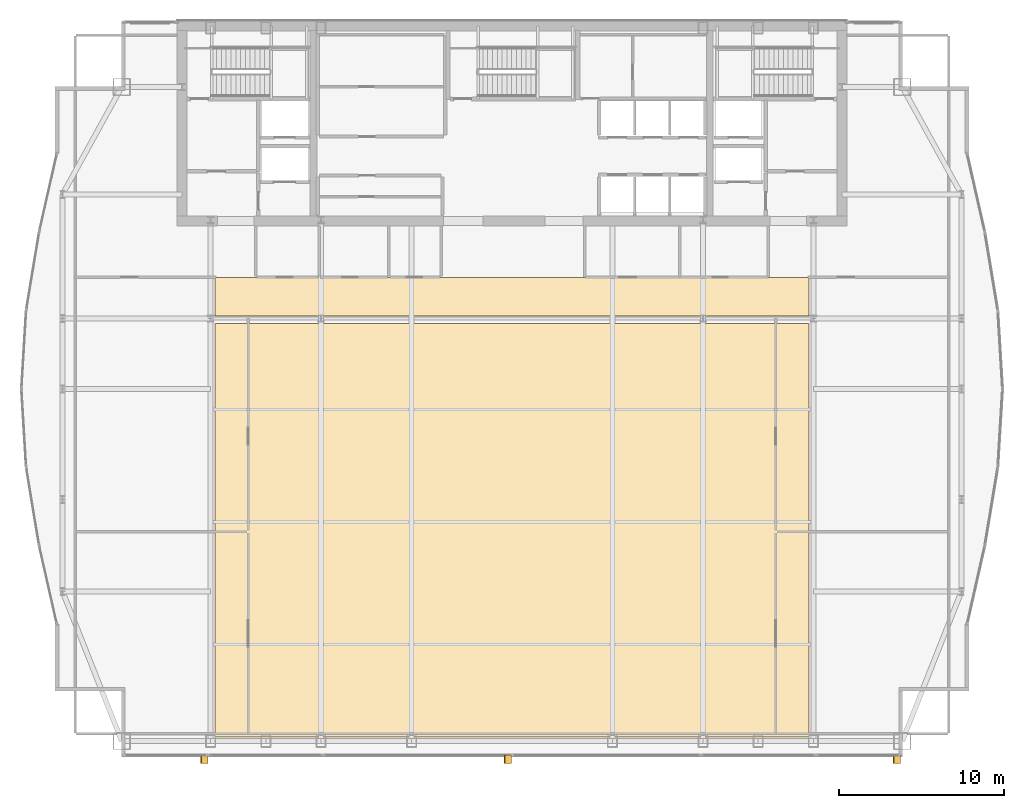
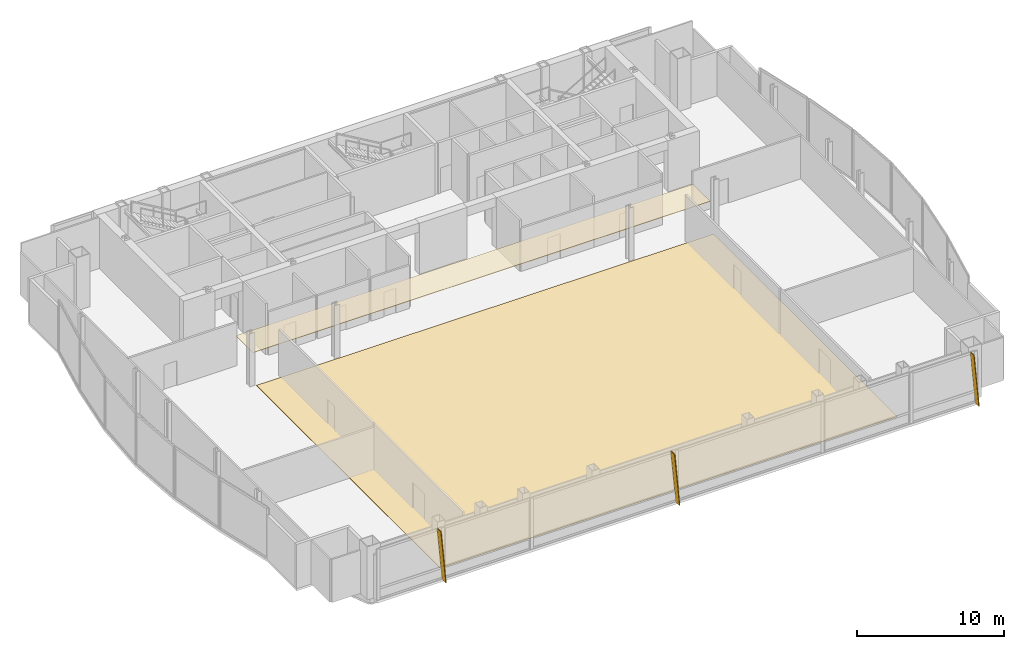
# One storey, part 27 of 28: 3 shading devices, 2 coverings.
"""IFC4 building model written with IfcOpenShell, lengths in metres."""

from ifc_helpers import new_model, si_unit, direction, frame, origin, place, context, subcontext, project, spatial, polyline, outline, extrude, material, layer, layer_set, type_object, element, save


model = new_model("IFC4")

# Units and contexts
model_context = context("Model", 3, precision=1e-05, world=origin(), true_north=direction((0.0, 1.0)))
body_context = subcontext(model_context, "Body", "Model", "MODEL_VIEW")
ifc_project = project(units=[si_unit("LENGTHUNIT", "METRE"), si_unit("AREAUNIT", "SQUARE_METRE"), si_unit("VOLUMEUNIT", "CUBIC_METRE"), si_unit("PLANEANGLEUNIT", "RADIAN"), si_unit("MASSUNIT", "GRAM", prefix="KILO")], contexts=[model_context])

# Site, building, storey
site_placement = place(None, origin())
site = spatial("IfcSite", under=ifc_project, at=site_placement, CompositionType="ELEMENT")
building_placement = place(site_placement, origin())
building = spatial("IfcBuilding", under=site, at=building_placement, Name="Khoronbel Lancet Exchange", CompositionType="ELEMENT")
storey_placement = place(building_placement, frame((0.0, 0.0, 265.39990234375)))
storey = spatial("IfcBuildingStorey", under=building, at=storey_placement, Name="L68", CompositionType="ELEMENT", Elevation=265.39990234375)

# Coverings
ifc_material_1 = material(Name="Micro-Perforated Bronze Acoustic Metal Ceiling Tile", Category="aluminium")
ifc_layer_1 = layer(ifc_material_1, 0.0400390625, Name="Micro-Perforated Bronze Acoustic Metal Ceiling Tile")
ifc_layer_set_1 = layer_set([ifc_layer_1], Name="Micro-Perforated Bronze Acoustic Metal Ceiling Tile")
covering_type_1 = type_object("IfcCoveringType", Name="COV-CEIL1", PredefinedType="CEILING", material=ifc_layer_set_1)
covering_1_placement = place(storey_placement, frame((0.0, 0.0, 2.440185546875)))
element("IfcCovering", 1, at=covering_1_placement, inside=storey, type_object=covering_type_1, Name="Level L68 corridor acoustic metal ceiling", PredefinedType="CEILING", context=body_context, shape_type="SweptSolid", body=[
    extrude(outline(polyline([(18.5, 35.85009765625), (54.39990234375, 35.85009765625), (54.39990234375, 38.179931640625), (18.5, 38.179931640625), (18.5, 35.85009765625)])), origin(), (0.0, 0.0, 1.0), 0.039794921875),
])
ifc_material_2 = material(Name="Honed Egyptian Galala Marble & Raised Access Floor Finish", Category="masonry")
ifc_layer_2 = layer(ifc_material_2, 0.030029296875, Name="Honed Egyptian Galala Marble & Raised Access Floor Finish")
ifc_layer_set_2 = layer_set([ifc_layer_2], Name="Honed Egyptian Galala Marble & Raised Access Floor Finish")
covering_type_2 = type_object("IfcCoveringType", Name="COV-FLR1", PredefinedType="FLOORING", material=ifc_layer_set_2)
covering_2_placement = place(storey_placement, origin())
element("IfcCovering", 2, at=covering_2_placement, inside=storey, type_object=covering_type_2, Name="Level L68 anti-static raised access floor finish", PredefinedType="FLOORING", context=body_context, shape_type="SweptSolid", body=[
    extrude(outline(polyline([(18.5, 10.39990234375), (54.39990234375, 10.39990234375), (54.39990234375, 35.39990234375), (18.5, 35.39990234375), (18.5, 10.39990234375)])), origin(), (0.0, 0.0, 1.0), 0.030029296875),
])

# Shading devices
ifc_material_3 = material(Name="Bronze-Anodised Aluminium 6063-T6", Category="aluminium")
ifc_layer_3 = layer(ifc_material_3, 0.054931640625, Name="Bronze-Anodised Aluminium 6063-T6")
ifc_layer_set_3 = layer_set([ifc_layer_3], Name="Bronze-Anodised Aluminium 6063-T6")
shading_device_type = type_object("IfcShadingDeviceType", Name="SHD-FIN1", PredefinedType="USERDEFINED", material=ifc_layer_set_3)
for number, where, z_axis, x_axis, name in (
    (3, (18.072509765625, 9.31005859375, -0.079833984375), (0.995920588085, 0.0, 0.090234041411), (0.0, -1.0, 0.0), "Slanted bronze solar fin CW-L68-SWV-1"),
    (4, (36.422607421875, 9.31005859375, -0.079833984375), (0.995920588085, 0.0, 0.090234041411), (0.0, -1.0, 0.0), "Slanted bronze solar fin CW-L68-SCV-1"),
    (5, (59.9326171875, 9.31005859375, -0.079833984375), (0.995920588085, 0.0, 0.090234041411), (0.0, -1.0, 0.0), "Slanted bronze solar fin CW-L68-SEV-1"),
):
    element("IfcShadingDevice", number, at=place(storey_placement, frame(where, z_axis=z_axis, x_axis=x_axis)), inside=storey, type_object=shading_device_type, Name=name, ObjectType="FIN", PredefinedType="USERDEFINED", context=body_context, shape_type="SweptSolid", body=[
        extrude(outline(polyline([(0.0, 0.0), (0.52001953125, 0.0), (0.52001953125, -4.377685546875), (0.0, -4.377685546875), (0.0, 0.0)])), origin(), (0.0, 0.0, -1.0), 0.054931640625),
    ])

save(model, "model.ifc")
